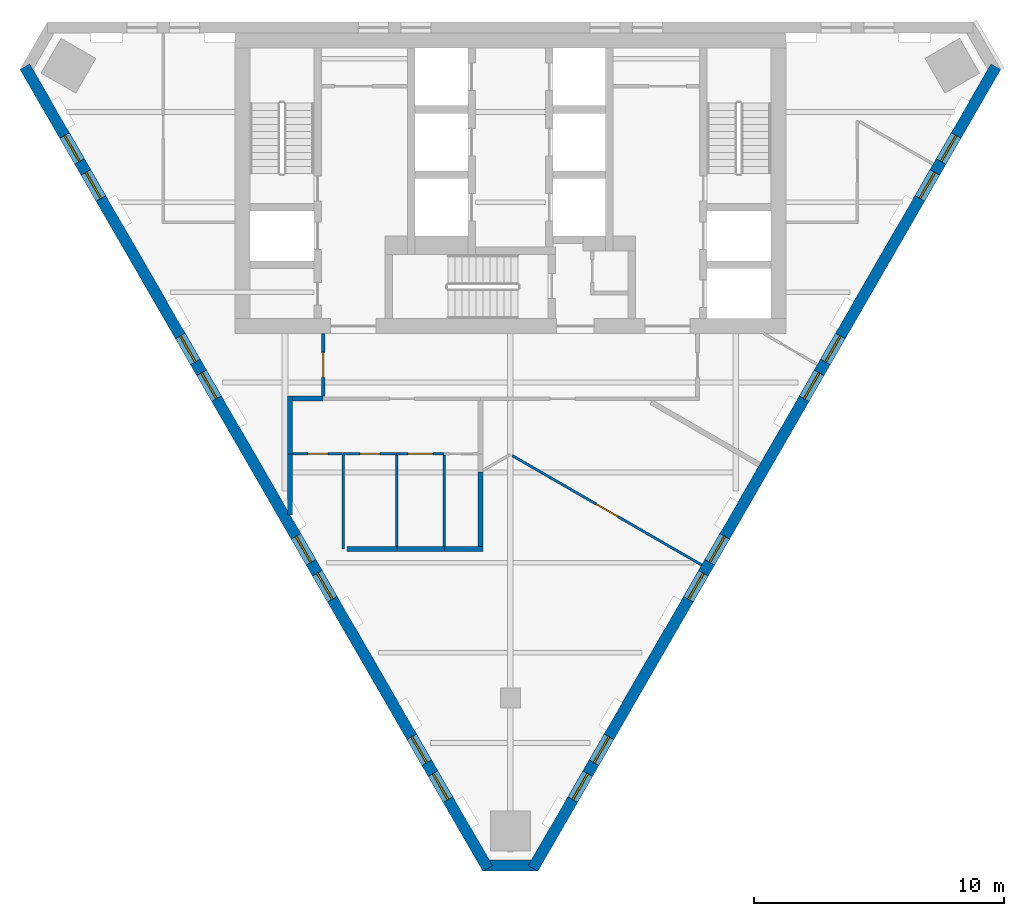
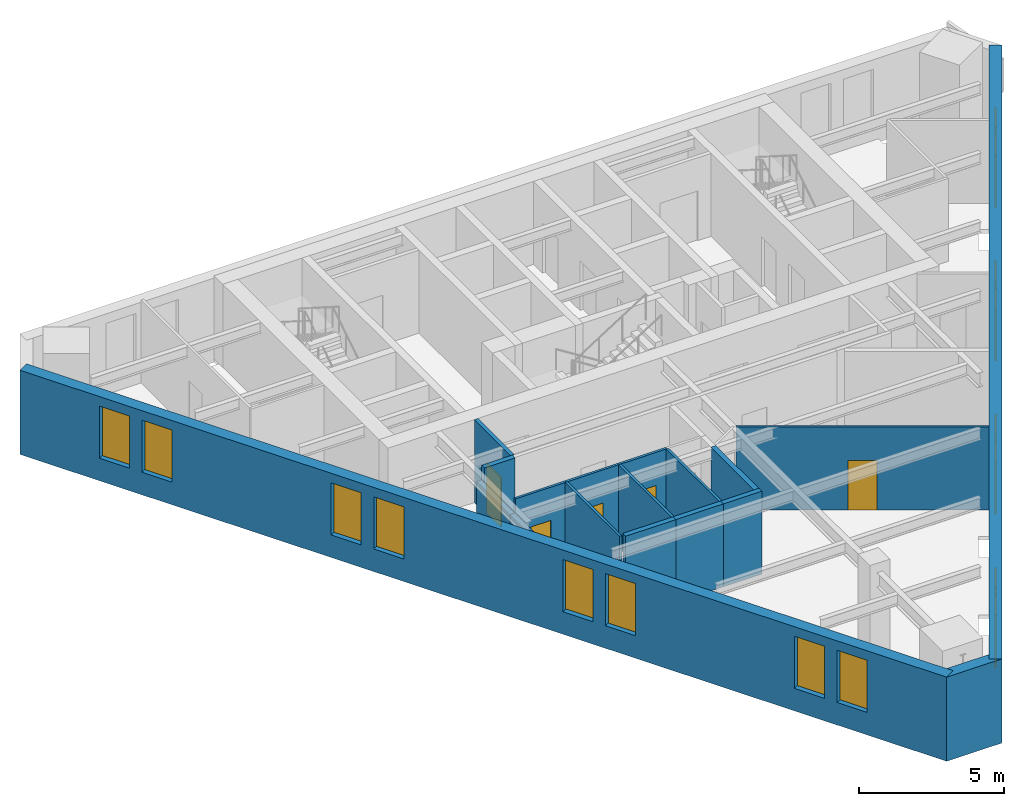
# One storey, part 2 of 6: 18 walls, 16 windows, 5 doors, 21 openings.
"""IFC4 building model written with IfcOpenShell, lengths in metres."""

import ifcopenshell
import ifcopenshell.guid

model = None  # the IFC model being written
_history = None  # IfcOwnerHistory: only IFC2X3 demands one
_inside = {}  # id of a spatial element -> (the spatial element, [elements in it])
_under = {}  # id of a project, library or spatial element -> (it, [spatial elements below it])
_declared = {}  # id of a project -> (the project, [libraries it declares])
_typed = {}  # id of a type object -> (the type object, [elements of that type])
_made_of = {}  # id of a material, layer set ... -> (it, [elements and type objects made of it])


def new_model(schema):
    """Start an empty IFC model of exactly this schema.

    Asked for "IFC4X3", IfcOpenShell would pick the latest addendum, in which some entities
    have other attributes; the version numbers below select the first issue.
    IFC2X3 requires an IfcOwnerHistory on every rooted entity: one is made here for all.
    """
    global model, _history
    if schema == "IFC4X3":
        model = ifcopenshell.file(schema_version=(4, 3, 0, 0))
    else:
        model = ifcopenshell.file(schema=schema)
    _inside.clear()
    _under.clear()
    _declared.clear()
    _typed.clear()
    _made_of.clear()
    _history = None
    if model.schema == "IFC2X3":
        org = make("IfcOrganization", Name="unknown")
        user = make(
            "IfcPersonAndOrganization",
            ThePerson=make("IfcPerson", FamilyName="unknown"),
            TheOrganization=org,
        )
        app = make(
            "IfcApplication",
            ApplicationDeveloper=org,
            Version="unknown",
            ApplicationFullName="unknown",
            ApplicationIdentifier="unknown",
        )
        _history = make(
            "IfcOwnerHistory",
            OwningUser=user,
            OwningApplication=app,
            ChangeAction="ADDED",
            CreationDate=0,
        )
    return model


def make(cls, **values):
    """One entity of the class cls with the attributes given. An attribute that is None is left unset."""
    return model.create_entity(
        cls, **{name: value for name, value in values.items() if value is not None}
    )


def rooted(cls, **values):
    """An entity with a GlobalId (a new one), such as an element, a storey or a relation."""
    return make(cls, GlobalId=ifcopenshell.guid.new(), OwnerHistory=_history, **values)


def si_unit(unit_type, name, prefix=None):
    """IfcSIUnit, for example si_unit("LENGTHUNIT", "METRE", prefix="MILLI")."""
    return make("IfcSIUnit", UnitType=unit_type, Prefix=prefix, Name=name)


def assignment(units):
    """IfcUnitAssignment: the units of a project."""
    return None if units is None else make("IfcUnitAssignment", Units=units)


def point(xyz):
    """IfcCartesianPoint."""
    return None if xyz is None else make("IfcCartesianPoint", Coordinates=xyz)


def direction(xyz):
    """IfcDirection."""
    return None if xyz is None else make("IfcDirection", DirectionRatios=xyz)


def frame(location, z_axis=None, x_axis=None):
    """IfcAxis2Placement3D, a coordinate frame: its origin and axes. An axis left out is left unset."""
    return make(
        "IfcAxis2Placement3D",
        Location=point(location),
        Axis=direction(z_axis),
        RefDirection=direction(x_axis),
    )


def frame_2d(location, x_axis=None):
    """IfcAxis2Placement2D, a coordinate frame in the plane: its origin and x axis."""
    return make(
        "IfcAxis2Placement2D", Location=point(location), RefDirection=direction(x_axis)
    )


def origin():
    """The frame at (0, 0, 0) with its axes left unset."""
    return frame((0.0, 0.0, 0.0))


def place(relative_to, where):
    """IfcLocalPlacement: puts the frame where relative to a parent placement (None: the world)."""
    return make(
        "IfcLocalPlacement", PlacementRelTo=relative_to, RelativePlacement=where
    )


def context(
    kind, dimensions, precision=None, world=None, true_north=None, identifier=None
):
    """IfcGeometricRepresentationContext, for example the 3D "Model" context."""
    return make(
        "IfcGeometricRepresentationContext",
        ContextIdentifier=identifier,
        ContextType=kind,
        CoordinateSpaceDimension=dimensions,
        Precision=precision,
        WorldCoordinateSystem=world,
        TrueNorth=true_north,
    )


def subcontext(parent, identifier, kind, view, scale=None):
    """IfcGeometricRepresentationSubContext, for example "Body" below "Model"."""
    return make(
        "IfcGeometricRepresentationSubContext",
        ContextIdentifier=identifier,
        ContextType=kind,
        ParentContext=parent,
        TargetScale=scale,
        TargetView=view,
    )


def project(units=None, contexts=None):
    """IfcProject with its units and contexts."""
    return rooted(
        "IfcProject",
        Name="project",
        RepresentationContexts=contexts,
        UnitsInContext=assignment(units),
    )


def spatial(cls, under=None, at=None, **own):
    """A site, building, storey or space (cls), placed at a placement, below another one or the project."""
    s = rooted(cls, ObjectPlacement=at, **own)
    if under is not None:
        _under.setdefault(under.id(), (under, []))[1].append(s)
    return s


def polyline(points):
    """IfcPolyline through the points."""
    return make("IfcPolyline", Points=[point(p) for p in points])


def profile(cls, at=None, kind="AREA", **sizes):
    """A parametric profile (cls). Its sizes go by their IFC names, for example OverallWidth=200.0."""
    return make(cls, ProfileType=kind, Position=at, **sizes)


def rectangle(**sizes):
    """IfcRectangleProfileDef."""
    return profile("IfcRectangleProfileDef", **sizes)


def outline(outer, holes=None, kind="AREA"):
    """IfcArbitraryClosedProfileDef: a profile drawn as a closed curve; with holes, ...WithVoids."""
    if holes is None:
        return make("IfcArbitraryClosedProfileDef", ProfileType=kind, OuterCurve=outer)
    return make(
        "IfcArbitraryProfileDefWithVoids",
        ProfileType=kind,
        OuterCurve=outer,
        InnerCurves=holes,
    )


def extrude(swept, where, along, depth):
    """IfcExtrudedAreaSolid: the profile swept, set in the frame where, extruded along a direction by depth."""
    return make(
        "IfcExtrudedAreaSolid",
        SweptArea=swept,
        Position=where,
        ExtrudedDirection=direction(along),
        Depth=depth,
    )


def shape(context_of_items, identifier, shape_type, items):
    """IfcShapeRepresentation: the items that make up one representation, for example the "Body"."""
    return make(
        "IfcShapeRepresentation",
        ContextOfItems=context_of_items,
        RepresentationIdentifier=identifier,
        RepresentationType=shape_type,
        Items=items,
    )


def material(Name=None, Category=None):
    """IfcMaterial."""
    return make("IfcMaterial", Name=Name, Category=Category)


def layer(
    of_material, thickness, ventilated=None, Name=None, Category=None, Priority=None
):
    """IfcMaterialLayer: one layer of a wall or slab, of a material (None: an air gap)."""
    return make(
        "IfcMaterialLayer",
        Material=of_material,
        LayerThickness=thickness,
        IsVentilated=ventilated,
        Name=Name,
        Category=Category,
        Priority=Priority,
    )


def layer_set(layers, Name=None):
    """IfcMaterialLayerSet."""
    return make("IfcMaterialLayerSet", MaterialLayers=layers, LayerSetName=Name)


def made_of(thing, what):
    """Note that an element or type object is made of a material, layer set ...; save() writes the relation."""
    if what is not None:
        _made_of.setdefault(what.id(), (what, []))[1].append(thing)
    return thing


def type_object(cls, material=None, **own):
    """A type object (cls), such as IfcWallType, which elements share."""
    return made_of(rooted(cls, **own), material)


def element(
    cls,
    number,
    at=None,
    inside=None,
    cuts=None,
    type_object=None,
    material=None,
    context=None,
    identifier="Body",
    shape_type=None,
    held_by="IfcProductDefinitionShape",
    body=None,
    shapes=None,
    **own,
):
    """One element of the class cls, such as IfcWall. Its Tag is "e" and its number.

    at: its placement. inside: the storey or other place that contains it. cuts: it is an
    opening in that element (IfcRelVoidsElement). A single representation is given by context,
    identifier, shape_type and body (its items); several are given by shapes. held_by: the class
    of the entity that holds the representations. save() writes the other relations.
    """
    e = rooted(cls, Tag="e%d" % number, ObjectPlacement=at, **own)
    if body is not None:
        shapes = [shape(context, identifier, shape_type, body)]
    if shapes is not None:
        e.Representation = make(held_by, Representations=shapes)
    if inside is not None:
        _inside.setdefault(inside.id(), (inside, []))[1].append(e)
    if cuts is not None:
        rooted(
            "IfcRelVoidsElement", RelatingBuildingElement=cuts, RelatedOpeningElement=e
        )
    if type_object is not None:
        _typed.setdefault(type_object.id(), (type_object, []))[1].append(e)
    return made_of(e, material)


def fill(opening, filler):
    """IfcRelFillsElement: the door or window that sits in an opening."""
    return rooted(
        "IfcRelFillsElement",
        RelatingOpeningElement=opening,
        RelatedBuildingElement=filler,
    )


def aggregate(whole, parts):
    """IfcRelAggregates: a whole, such as a stair, and the parts it consists of."""
    return rooted("IfcRelAggregates", RelatingObject=whole, RelatedObjects=parts)


def save(model, path):
    """Write the relations noted so far, then the file.

    IfcRelAggregates (storeys below a building ...), IfcRelContainedInSpatialStructure (elements
    in a storey), IfcRelDefinesByType, IfcRelAssociatesMaterial and IfcRelDeclares: one each for
    every whole, place, type object, material and project.
    """
    for whole, parts in _under.values():
        aggregate(whole, parts)
    for where, things in _inside.values():
        rooted(
            "IfcRelContainedInSpatialStructure",
            RelatedElements=things,
            RelatingStructure=where,
        )
    for kind, things in _typed.values():
        rooted("IfcRelDefinesByType", RelatedObjects=things, RelatingType=kind)
    for what, things in _made_of.values():
        rooted("IfcRelAssociatesMaterial", RelatedObjects=things, RelatingMaterial=what)
    for by, libraries in _declared.values():
        rooted("IfcRelDeclares", RelatingContext=by, RelatedDefinitions=libraries)
    model.write(path)


model = new_model("IFC4")

# Units and contexts
model_context = context("Model", 3, precision=1e-05, world=origin(), true_north=direction((0.0, 1.0)))
body_context = subcontext(model_context, "Body", "Model", "MODEL_VIEW")
ifc_project = project(units=[si_unit("LENGTHUNIT", "METRE"), si_unit("AREAUNIT", "SQUARE_METRE"), si_unit("VOLUMEUNIT", "CUBIC_METRE"), si_unit("PLANEANGLEUNIT", "RADIAN"), si_unit("MASSUNIT", "GRAM", prefix="KILO")], contexts=[model_context])

# Site, building, storey
site_placement = place(None, origin())
site = spatial("IfcSite", under=ifc_project, at=site_placement, CompositionType="ELEMENT")
building_placement = place(site_placement, origin())
building = spatial("IfcBuilding", under=site, at=building_placement, Name="Aloe Facet Convention Tower", CompositionType="ELEMENT")
storey_placement = place(building_placement, frame((0.0, 0.0, 281.60009765625)))
storey = spatial("IfcBuildingStorey", under=building, at=storey_placement, Name="L69", CompositionType="ELEMENT", Elevation=281.60009765625)

# Wall
ifc_material_1 = material(Name="Precast concrete C40/50", Category="concrete")
ifc_layer_1 = layer(ifc_material_1, 0.449951171875)
ifc_layer_set_1 = layer_set([ifc_layer_1], Name="EV-WALL-PIER")
wall_type_1 = type_object("IfcWallType", Name="EV-WALL-PIER", PredefinedType="SOLIDWALL", material=ifc_layer_set_1)
wall_1_placement = place(storey_placement, frame((0.0, 0.0, -0.150146484375)))
element("IfcWall", 1, at=wall_1_placement, inside=storey, type_object=wall_type_1, Name="EP-L69-B", PredefinedType="SOLIDWALL", context=body_context, shape_type="SweptSolid", body=[
    extrude(outline(polyline([(78.89990234375, 101.07568359375), (79.289794921875, 101.30078125), (79.159912109375, 101.52587890625), (80.840087890625, 101.52587890625), (80.710205078125, 101.30078125), (81.10009765625, 101.07568359375), (78.89990234375, 101.07568359375)])), origin(), (0.0, 0.0, 1.0), 3.550048828125),
])

# Wall, openings, windows
ifc_material_2 = material(Name="Precast concrete C40/50", Category="concrete")
ifc_layer_2 = layer(ifc_material_2, 0.449951171875)
ifc_layer_set_2 = layer_set([ifc_layer_2], Name="EV-WALL-STONE")
wall_type_2 = type_object("IfcWallType", Name="EV-WALL-STONE", PredefinedType="SOLIDWALL", material=ifc_layer_set_2)
wall_2_placement = place(storey_placement, frame((60.608642578125, 133.207275390625, -0.150146484375), z_axis=(0.0, 0.0, 1.0), x_axis=(0.500002536638, -0.866023939251, 0.0)))
wall_2 = element("IfcWall", 2, at=wall_2_placement, inside=storey, type_object=wall_type_2, Name="EW-L69-W01", PredefinedType="SOLIDWALL", context=body_context, shape_type="SweptSolid", body=[
    extrude(outline(polyline([(36.972412109375, 0.0), (36.972412109375, 3.550048828125), (0.0, 3.550048828125), (0.0, 0.0), (36.972412109375, 0.0)])), frame((0.0, 0.22509765625, 0.0), z_axis=(0.0, -1.0, 0.0), x_axis=(1.0, 0.0, 0.0)), (0.0, 0.0, 1.0), 0.449951171875),
])
opening_1_placement = place(wall_2_placement, frame((3.171630859375, 0.0, 0.949951171875)))
opening_1 = element("IfcOpeningElement", 3, at=opening_1_placement, cuts=wall_2, Name="Opening W-L69-W01", PredefinedType="OPENING", context=body_context, shape_type="SweptSolid", body=[
    extrude(rectangle(XDim=1.199951171875, YDim=2.199951171875, at=frame_2d((0.60009765625, 1.10009765625))), frame((0.0, 0.23486328125, 0.0), z_axis=(0.0, -1.0, 0.0), x_axis=(1.0, 0.0, 0.0)), (0.0, 0.0, 1.0), 0.469970703125),
])
opening_2_placement = place(wall_2_placement, frame((4.87158203125, 0.0, 0.949951171875)))
opening_2 = element("IfcOpeningElement", 4, at=opening_2_placement, cuts=wall_2, Name="Opening W-L69-W02", PredefinedType="OPENING", context=body_context, shape_type="SweptSolid", body=[
    extrude(rectangle(XDim=1.199951171875, YDim=2.199951171875, at=frame_2d((0.60009765625, 1.10009765625))), frame((0.0, 0.23486328125, 0.0), z_axis=(0.0, -1.0, 0.0), x_axis=(1.0, 0.0, 0.0)), (0.0, 0.0, 1.0), 0.469970703125),
])
opening_3_placement = place(wall_2_placement, frame((12.41455078125, 0.0, 0.949951171875)))
opening_3 = element("IfcOpeningElement", 5, at=opening_3_placement, cuts=wall_2, Name="Opening W-L69-W03", PredefinedType="OPENING", context=body_context, shape_type="SweptSolid", body=[
    extrude(rectangle(XDim=1.199951171875, YDim=2.199951171875, at=frame_2d((0.60009765625, 1.10009765625))), frame((0.0, 0.23486328125, 0.0), z_axis=(0.0, -1.0, 0.0), x_axis=(1.0, 0.0, 0.0)), (0.0, 0.0, 1.0), 0.469970703125),
])
opening_4_placement = place(wall_2_placement, frame((14.114501953125, 0.0, 0.949951171875)))
opening_4 = element("IfcOpeningElement", 6, at=opening_4_placement, cuts=wall_2, Name="Opening W-L69-W04", PredefinedType="OPENING", context=body_context, shape_type="SweptSolid", body=[
    extrude(rectangle(XDim=1.199951171875, YDim=2.199951171875, at=frame_2d((0.60009765625, 1.10009765625))), frame((0.0, 0.23486328125, 0.0), z_axis=(0.0, -1.0, 0.0), x_axis=(1.0, 0.0, 0.0)), (0.0, 0.0, 1.0), 0.469970703125),
])
opening_5_placement = place(wall_2_placement, frame((21.65771484375, 0.0, 0.949951171875)))
opening_5 = element("IfcOpeningElement", 7, at=opening_5_placement, cuts=wall_2, Name="Opening W-L69-W05", PredefinedType="OPENING", context=body_context, shape_type="SweptSolid", body=[
    extrude(rectangle(XDim=1.199951171875, YDim=2.199951171875, at=frame_2d((0.60009765625, 1.10009765625))), frame((0.0, 0.23486328125, 0.0), z_axis=(0.0, -1.0, 0.0), x_axis=(1.0, 0.0, 0.0)), (0.0, 0.0, 1.0), 0.469970703125),
])
opening_6_placement = place(wall_2_placement, frame((23.357666015625, 0.0, 0.949951171875)))
opening_6 = element("IfcOpeningElement", 8, at=opening_6_placement, cuts=wall_2, Name="Opening W-L69-W06", PredefinedType="OPENING", context=body_context, shape_type="SweptSolid", body=[
    extrude(rectangle(XDim=1.199951171875, YDim=2.199951171875, at=frame_2d((0.60009765625, 1.10009765625))), frame((0.0, 0.23486328125, 0.0), z_axis=(0.0, -1.0, 0.0), x_axis=(1.0, 0.0, 0.0)), (0.0, 0.0, 1.0), 0.469970703125),
])
opening_7_placement = place(wall_2_placement, frame((30.90087890625, 0.0, 0.949951171875)))
opening_7 = element("IfcOpeningElement", 9, at=opening_7_placement, cuts=wall_2, Name="Opening W-L69-W07", PredefinedType="OPENING", context=body_context, shape_type="SweptSolid", body=[
    extrude(rectangle(XDim=1.199951171875, YDim=2.199951171875, at=frame_2d((0.60009765625, 1.10009765625))), frame((0.0, 0.23486328125, 0.0), z_axis=(0.0, -1.0, 0.0), x_axis=(1.0, 0.0, 0.0)), (0.0, 0.0, 1.0), 0.469970703125),
])
opening_8_placement = place(wall_2_placement, frame((32.600830078125, 0.0, 0.949951171875)))
opening_8 = element("IfcOpeningElement", 10, at=opening_8_placement, cuts=wall_2, Name="Opening W-L69-W08", PredefinedType="OPENING", context=body_context, shape_type="SweptSolid", body=[
    extrude(rectangle(XDim=1.199951171875, YDim=2.199951171875, at=frame_2d((0.60009765625, 1.10009765625))), frame((0.0, 0.23486328125, 0.0), z_axis=(0.0, -1.0, 0.0), x_axis=(1.0, 0.0, 0.0)), (0.0, 0.0, 1.0), 0.469970703125),
])
ifc_material_3 = material(Name="Aluminium frame, clear double glazing", Category="aluminium")
window_type = type_object("IfcWindowType", Name="EV-WIN-O12", PartitioningType="SINGLE_PANEL", PredefinedType="WINDOW", material=ifc_material_3)
window_1_placement = place(opening_1_placement, origin())
window_1 = element("IfcWindow", 11, at=window_1_placement, inside=storey, type_object=window_type, Name="W-L69-W01", OverallHeight=2.199951171875, OverallWidth=1.199951171875, PartitioningType="SINGLE_PANEL", PredefinedType="WINDOW", context=body_context, shape_type="SweptSolid", body=[
    extrude(rectangle(XDim=1.199951171875, YDim=2.199951171875, at=frame_2d((0.60009765625, 1.10009765625))), frame((0.0, 0.030029296875, 0.0), z_axis=(0.0, -1.0, 0.0), x_axis=(1.0, 0.0, 0.0)), (0.0, 0.0, 1.0), 0.06005859375),
])
fill(opening_1, window_1)
window_2_placement = place(opening_2_placement, origin())
window_2 = element("IfcWindow", 12, at=window_2_placement, inside=storey, type_object=window_type, Name="W-L69-W02", OverallHeight=2.199951171875, OverallWidth=1.199951171875, PartitioningType="SINGLE_PANEL", PredefinedType="WINDOW", context=body_context, shape_type="SweptSolid", body=[
    extrude(rectangle(XDim=1.199951171875, YDim=2.199951171875, at=frame_2d((0.60009765625, 1.10009765625))), frame((0.0, 0.030029296875, 0.0), z_axis=(0.0, -1.0, 0.0), x_axis=(1.0, 0.0, 0.0)), (0.0, 0.0, 1.0), 0.06005859375),
])
fill(opening_2, window_2)
window_3_placement = place(opening_3_placement, origin())
window_3 = element("IfcWindow", 13, at=window_3_placement, inside=storey, type_object=window_type, Name="W-L69-W03", OverallHeight=2.199951171875, OverallWidth=1.199951171875, PartitioningType="SINGLE_PANEL", PredefinedType="WINDOW", context=body_context, shape_type="SweptSolid", body=[
    extrude(rectangle(XDim=1.199951171875, YDim=2.199951171875, at=frame_2d((0.60009765625, 1.10009765625))), frame((0.0, 0.030029296875, 0.0), z_axis=(0.0, -1.0, 0.0), x_axis=(1.0, 0.0, 0.0)), (0.0, 0.0, 1.0), 0.06005859375),
])
fill(opening_3, window_3)
window_4_placement = place(opening_4_placement, origin())
window_4 = element("IfcWindow", 14, at=window_4_placement, inside=storey, type_object=window_type, Name="W-L69-W04", OverallHeight=2.199951171875, OverallWidth=1.199951171875, PartitioningType="SINGLE_PANEL", PredefinedType="WINDOW", context=body_context, shape_type="SweptSolid", body=[
    extrude(rectangle(XDim=1.199951171875, YDim=2.199951171875, at=frame_2d((0.60009765625, 1.10009765625))), frame((0.0, 0.030029296875, 0.0), z_axis=(0.0, -1.0, 0.0), x_axis=(1.0, 0.0, 0.0)), (0.0, 0.0, 1.0), 0.06005859375),
])
fill(opening_4, window_4)
window_5_placement = place(opening_5_placement, origin())
window_5 = element("IfcWindow", 15, at=window_5_placement, inside=storey, type_object=window_type, Name="W-L69-W05", OverallHeight=2.199951171875, OverallWidth=1.199951171875, PartitioningType="SINGLE_PANEL", PredefinedType="WINDOW", context=body_context, shape_type="SweptSolid", body=[
    extrude(rectangle(XDim=1.199951171875, YDim=2.199951171875, at=frame_2d((0.60009765625, 1.10009765625))), frame((0.0, 0.030029296875, 0.0), z_axis=(0.0, -1.0, 0.0), x_axis=(1.0, 0.0, 0.0)), (0.0, 0.0, 1.0), 0.06005859375),
])
fill(opening_5, window_5)
window_6_placement = place(opening_6_placement, origin())
window_6 = element("IfcWindow", 16, at=window_6_placement, inside=storey, type_object=window_type, Name="W-L69-W06", OverallHeight=2.199951171875, OverallWidth=1.199951171875, PartitioningType="SINGLE_PANEL", PredefinedType="WINDOW", context=body_context, shape_type="SweptSolid", body=[
    extrude(rectangle(XDim=1.199951171875, YDim=2.199951171875, at=frame_2d((0.60009765625, 1.10009765625))), frame((0.0, 0.030029296875, 0.0), z_axis=(0.0, -1.0, 0.0), x_axis=(1.0, 0.0, 0.0)), (0.0, 0.0, 1.0), 0.06005859375),
])
fill(opening_6, window_6)
window_7_placement = place(opening_7_placement, origin())
window_7 = element("IfcWindow", 17, at=window_7_placement, inside=storey, type_object=window_type, Name="W-L69-W07", OverallHeight=2.199951171875, OverallWidth=1.199951171875, PartitioningType="SINGLE_PANEL", PredefinedType="WINDOW", context=body_context, shape_type="SweptSolid", body=[
    extrude(rectangle(XDim=1.199951171875, YDim=2.199951171875, at=frame_2d((0.60009765625, 1.10009765625))), frame((0.0, 0.030029296875, 0.0), z_axis=(0.0, -1.0, 0.0), x_axis=(1.0, 0.0, 0.0)), (0.0, 0.0, 1.0), 0.06005859375),
])
fill(opening_7, window_7)
window_8_placement = place(opening_8_placement, origin())
window_8 = element("IfcWindow", 18, at=window_8_placement, inside=storey, type_object=window_type, Name="W-L69-W08", OverallHeight=2.199951171875, OverallWidth=1.199951171875, PartitioningType="SINGLE_PANEL", PredefinedType="WINDOW", context=body_context, shape_type="SweptSolid", body=[
    extrude(rectangle(XDim=1.199951171875, YDim=2.199951171875, at=frame_2d((0.60009765625, 1.10009765625))), frame((0.0, 0.030029296875, 0.0), z_axis=(0.0, -1.0, 0.0), x_axis=(1.0, 0.0, 0.0)), (0.0, 0.0, 1.0), 0.06005859375),
])
fill(opening_8, window_8)

wall_3_placement = place(storey_placement, frame((80.905029296875, 101.188232421875, -0.150146484375), z_axis=(0.0, 0.0, 1.0), x_axis=(0.500002536638, 0.866023939251, 0.0)))
wall_3 = element("IfcWall", 19, at=wall_3_placement, inside=storey, type_object=wall_type_2, Name="EW-L69-E01", PredefinedType="SOLIDWALL", context=body_context, shape_type="SweptSolid", body=[
    extrude(outline(polyline([(36.972412109375, 0.0), (36.972412109375, 3.550048828125), (0.0, 3.550048828125), (0.0, 0.0), (36.972412109375, 0.0)])), frame((0.0, 0.22509765625, 0.0), z_axis=(0.0, -1.0, 0.0), x_axis=(1.0, 0.0, 0.0)), (0.0, 0.0, 1.0), 0.449951171875),
])
opening_9_placement = place(wall_3_placement, frame((3.171630859375, 0.0, 0.949951171875)))
opening_9 = element("IfcOpeningElement", 20, at=opening_9_placement, cuts=wall_3, Name="Opening W-L69-E01", PredefinedType="OPENING", context=body_context, shape_type="SweptSolid", body=[
    extrude(rectangle(XDim=1.199951171875, YDim=2.199951171875, at=frame_2d((0.60009765625, 1.10009765625))), frame((0.0, 0.23486328125, 0.0), z_axis=(0.0, -1.0, 0.0), x_axis=(1.0, 0.0, 0.0)), (0.0, 0.0, 1.0), 0.469970703125),
])
opening_10_placement = place(wall_3_placement, frame((4.87158203125, 0.0, 0.949951171875)))
opening_10 = element("IfcOpeningElement", 21, at=opening_10_placement, cuts=wall_3, Name="Opening W-L69-E02", PredefinedType="OPENING", context=body_context, shape_type="SweptSolid", body=[
    extrude(rectangle(XDim=1.199951171875, YDim=2.199951171875, at=frame_2d((0.60009765625, 1.10009765625))), frame((0.0, 0.23486328125, 0.0), z_axis=(0.0, -1.0, 0.0), x_axis=(1.0, 0.0, 0.0)), (0.0, 0.0, 1.0), 0.469970703125),
])
opening_11_placement = place(wall_3_placement, frame((12.41455078125, 0.0, 0.949951171875)))
opening_11 = element("IfcOpeningElement", 22, at=opening_11_placement, cuts=wall_3, Name="Opening W-L69-E03", PredefinedType="OPENING", context=body_context, shape_type="SweptSolid", body=[
    extrude(rectangle(XDim=1.199951171875, YDim=2.199951171875, at=frame_2d((0.60009765625, 1.10009765625))), frame((0.0, 0.23486328125, 0.0), z_axis=(0.0, -1.0, 0.0), x_axis=(1.0, 0.0, 0.0)), (0.0, 0.0, 1.0), 0.469970703125),
])
opening_12_placement = place(wall_3_placement, frame((14.114501953125, 0.0, 0.949951171875)))
opening_12 = element("IfcOpeningElement", 23, at=opening_12_placement, cuts=wall_3, Name="Opening W-L69-E04", PredefinedType="OPENING", context=body_context, shape_type="SweptSolid", body=[
    extrude(rectangle(XDim=1.199951171875, YDim=2.199951171875, at=frame_2d((0.60009765625, 1.10009765625))), frame((0.0, 0.23486328125, 0.0), z_axis=(0.0, -1.0, 0.0), x_axis=(1.0, 0.0, 0.0)), (0.0, 0.0, 1.0), 0.469970703125),
])
opening_13_placement = place(wall_3_placement, frame((21.65771484375, 0.0, 0.949951171875)))
opening_13 = element("IfcOpeningElement", 24, at=opening_13_placement, cuts=wall_3, Name="Opening W-L69-E05", PredefinedType="OPENING", context=body_context, shape_type="SweptSolid", body=[
    extrude(rectangle(XDim=1.199951171875, YDim=2.199951171875, at=frame_2d((0.60009765625, 1.10009765625))), frame((0.0, 0.23486328125, 0.0), z_axis=(0.0, -1.0, 0.0), x_axis=(1.0, 0.0, 0.0)), (0.0, 0.0, 1.0), 0.469970703125),
])
opening_14_placement = place(wall_3_placement, frame((23.357666015625, 0.0, 0.949951171875)))
opening_14 = element("IfcOpeningElement", 25, at=opening_14_placement, cuts=wall_3, Name="Opening W-L69-E06", PredefinedType="OPENING", context=body_context, shape_type="SweptSolid", body=[
    extrude(rectangle(XDim=1.199951171875, YDim=2.199951171875, at=frame_2d((0.60009765625, 1.10009765625))), frame((0.0, 0.23486328125, 0.0), z_axis=(0.0, -1.0, 0.0), x_axis=(1.0, 0.0, 0.0)), (0.0, 0.0, 1.0), 0.469970703125),
])
opening_15_placement = place(wall_3_placement, frame((30.90087890625, 0.0, 0.949951171875)))
opening_15 = element("IfcOpeningElement", 26, at=opening_15_placement, cuts=wall_3, Name="Opening W-L69-E07", PredefinedType="OPENING", context=body_context, shape_type="SweptSolid", body=[
    extrude(rectangle(XDim=1.199951171875, YDim=2.199951171875, at=frame_2d((0.60009765625, 1.10009765625))), frame((0.0, 0.23486328125, 0.0), z_axis=(0.0, -1.0, 0.0), x_axis=(1.0, 0.0, 0.0)), (0.0, 0.0, 1.0), 0.469970703125),
])
opening_16_placement = place(wall_3_placement, frame((32.600830078125, 0.0, 0.949951171875)))
opening_16 = element("IfcOpeningElement", 27, at=opening_16_placement, cuts=wall_3, Name="Opening W-L69-E08", PredefinedType="OPENING", context=body_context, shape_type="SweptSolid", body=[
    extrude(rectangle(XDim=1.199951171875, YDim=2.199951171875, at=frame_2d((0.60009765625, 1.10009765625))), frame((0.0, 0.23486328125, 0.0), z_axis=(0.0, -1.0, 0.0), x_axis=(1.0, 0.0, 0.0)), (0.0, 0.0, 1.0), 0.469970703125),
])
window_9_placement = place(opening_9_placement, origin())
window_9 = element("IfcWindow", 28, at=window_9_placement, inside=storey, type_object=window_type, Name="W-L69-E01", OverallHeight=2.199951171875, OverallWidth=1.199951171875, PartitioningType="SINGLE_PANEL", PredefinedType="WINDOW", context=body_context, shape_type="SweptSolid", body=[
    extrude(rectangle(XDim=1.199951171875, YDim=2.199951171875, at=frame_2d((0.60009765625, 1.10009765625))), frame((0.0, 0.030029296875, 0.0), z_axis=(0.0, -1.0, 0.0), x_axis=(1.0, 0.0, 0.0)), (0.0, 0.0, 1.0), 0.06005859375),
])
fill(opening_9, window_9)
window_10_placement = place(opening_10_placement, origin())
window_10 = element("IfcWindow", 29, at=window_10_placement, inside=storey, type_object=window_type, Name="W-L69-E02", OverallHeight=2.199951171875, OverallWidth=1.199951171875, PartitioningType="SINGLE_PANEL", PredefinedType="WINDOW", context=body_context, shape_type="SweptSolid", body=[
    extrude(rectangle(XDim=1.199951171875, YDim=2.199951171875, at=frame_2d((0.60009765625, 1.10009765625))), frame((0.0, 0.030029296875, 0.0), z_axis=(0.0, -1.0, 0.0), x_axis=(1.0, 0.0, 0.0)), (0.0, 0.0, 1.0), 0.06005859375),
])
fill(opening_10, window_10)
window_11_placement = place(opening_11_placement, origin())
window_11 = element("IfcWindow", 30, at=window_11_placement, inside=storey, type_object=window_type, Name="W-L69-E03", OverallHeight=2.199951171875, OverallWidth=1.199951171875, PartitioningType="SINGLE_PANEL", PredefinedType="WINDOW", context=body_context, shape_type="SweptSolid", body=[
    extrude(rectangle(XDim=1.199951171875, YDim=2.199951171875, at=frame_2d((0.60009765625, 1.10009765625))), frame((0.0, 0.030029296875, 0.0), z_axis=(0.0, -1.0, 0.0), x_axis=(1.0, 0.0, 0.0)), (0.0, 0.0, 1.0), 0.06005859375),
])
fill(opening_11, window_11)
window_12_placement = place(opening_12_placement, origin())
window_12 = element("IfcWindow", 31, at=window_12_placement, inside=storey, type_object=window_type, Name="W-L69-E04", OverallHeight=2.199951171875, OverallWidth=1.199951171875, PartitioningType="SINGLE_PANEL", PredefinedType="WINDOW", context=body_context, shape_type="SweptSolid", body=[
    extrude(rectangle(XDim=1.199951171875, YDim=2.199951171875, at=frame_2d((0.60009765625, 1.10009765625))), frame((0.0, 0.030029296875, 0.0), z_axis=(0.0, -1.0, 0.0), x_axis=(1.0, 0.0, 0.0)), (0.0, 0.0, 1.0), 0.06005859375),
])
fill(opening_12, window_12)
window_13_placement = place(opening_13_placement, origin())
window_13 = element("IfcWindow", 32, at=window_13_placement, inside=storey, type_object=window_type, Name="W-L69-E05", OverallHeight=2.199951171875, OverallWidth=1.199951171875, PartitioningType="SINGLE_PANEL", PredefinedType="WINDOW", context=body_context, shape_type="SweptSolid", body=[
    extrude(rectangle(XDim=1.199951171875, YDim=2.199951171875, at=frame_2d((0.60009765625, 1.10009765625))), frame((0.0, 0.030029296875, 0.0), z_axis=(0.0, -1.0, 0.0), x_axis=(1.0, 0.0, 0.0)), (0.0, 0.0, 1.0), 0.06005859375),
])
fill(opening_13, window_13)
window_14_placement = place(opening_14_placement, origin())
window_14 = element("IfcWindow", 33, at=window_14_placement, inside=storey, type_object=window_type, Name="W-L69-E06", OverallHeight=2.199951171875, OverallWidth=1.199951171875, PartitioningType="SINGLE_PANEL", PredefinedType="WINDOW", context=body_context, shape_type="SweptSolid", body=[
    extrude(rectangle(XDim=1.199951171875, YDim=2.199951171875, at=frame_2d((0.60009765625, 1.10009765625))), frame((0.0, 0.030029296875, 0.0), z_axis=(0.0, -1.0, 0.0), x_axis=(1.0, 0.0, 0.0)), (0.0, 0.0, 1.0), 0.06005859375),
])
fill(opening_14, window_14)
window_15_placement = place(opening_15_placement, origin())
window_15 = element("IfcWindow", 34, at=window_15_placement, inside=storey, type_object=window_type, Name="W-L69-E07", OverallHeight=2.199951171875, OverallWidth=1.199951171875, PartitioningType="SINGLE_PANEL", PredefinedType="WINDOW", context=body_context, shape_type="SweptSolid", body=[
    extrude(rectangle(XDim=1.199951171875, YDim=2.199951171875, at=frame_2d((0.60009765625, 1.10009765625))), frame((0.0, 0.030029296875, 0.0), z_axis=(0.0, -1.0, 0.0), x_axis=(1.0, 0.0, 0.0)), (0.0, 0.0, 1.0), 0.06005859375),
])
fill(opening_15, window_15)
window_16_placement = place(opening_16_placement, origin())
window_16 = element("IfcWindow", 35, at=window_16_placement, inside=storey, type_object=window_type, Name="W-L69-E08", OverallHeight=2.199951171875, OverallWidth=1.199951171875, PartitioningType="SINGLE_PANEL", PredefinedType="WINDOW", context=body_context, shape_type="SweptSolid", body=[
    extrude(rectangle(XDim=1.199951171875, YDim=2.199951171875, at=frame_2d((0.60009765625, 1.10009765625))), frame((0.0, 0.030029296875, 0.0), z_axis=(0.0, -1.0, 0.0), x_axis=(1.0, 0.0, 0.0)), (0.0, 0.0, 1.0), 0.06005859375),
])
fill(opening_16, window_16)

# Wall, opening, door
ifc_material_4 = material(Name="Gypsum board partition on steel studs", Category="steel")
ifc_layer_3 = layer(ifc_material_4, 0.14990234375)
ifc_layer_set_3 = layer_set([ifc_layer_3], Name="IN-W-CORR")
wall_type_3 = type_object("IfcWallType", Name="IN-W-CORR", PredefinedType="PARTITIONING", material=ifc_layer_set_3)
wall_4_placement = place(storey_placement, frame((72.52490234375, 120.050048828125, 0.0), z_axis=(0.0, 0.0, 1.0), x_axis=(0.0, 1.0, 0.0)))
wall_4 = element("IfcWall", 36, at=wall_4_placement, inside=storey, type_object=wall_type_3, Name="Partition L69-W020", PredefinedType="PARTITIONING", context=body_context, shape_type="SweptSolid", body=[
    extrude(rectangle(XDim=2.5, YDim=0.14990234375, at=frame_2d((1.25, 0.0))), origin(), (0.0, 0.0, 1.0), 3.5),
])
opening_17_placement = place(wall_4_placement, frame((0.75, 0.0, 0.0)))
opening_17 = element("IfcOpeningElement", 37, at=opening_17_placement, cuts=wall_4, Name="Opening L69-008", PredefinedType="OPENING", context=body_context, shape_type="SweptSolid", body=[
    extrude(rectangle(XDim=1.0, YDim=2.10009765625, at=frame_2d((0.5, 1.050048828125))), frame((0.0, 0.0849609375, 0.0), z_axis=(0.0, -1.0, 0.0), x_axis=(1.0, 0.0, 0.0)), (0.0, 0.0, 1.0), 0.169921875),
])
ifc_material_5 = material(Name="Timber door FD30S with vision panel", Category="wood")
door_type_1 = type_object("IfcDoorType", Name="IN-OFF-D-ENTRY", OperationType="SINGLE_SWING_LEFT", PredefinedType="DOOR", material=ifc_material_5)
door_1_placement = place(opening_17_placement, origin())
door_1 = element("IfcDoor", 38, at=door_1_placement, inside=storey, type_object=door_type_1, Name="Door L69-008", OperationType="SINGLE_SWING_LEFT", OverallHeight=2.10009765625, OverallWidth=1.0, PredefinedType="DOOR", context=body_context, shape_type="SweptSolid", body=[
    extrude(rectangle(XDim=1.0, YDim=2.10009765625, at=frame_2d((0.5, 1.050048828125))), frame((0.0, 0.02490234375, 0.0), z_axis=(0.0, -1.0, 0.0), x_axis=(1.0, 0.0, 0.0)), (0.0, 0.0, 1.0), 0.050048828125),
])
fill(opening_17, door_1)

ifc_material_6 = material(Name="Gypsum board partition on steel studs", Category="steel")
ifc_layer_4 = layer(ifc_material_6, 0.10009765625)
ifc_layer_set_4 = layer_set([ifc_layer_4], Name="IN-W-PART")
wall_type_4 = type_object("IfcWallType", Name="IN-W-PART", PredefinedType="PARTITIONING", material=ifc_layer_set_4)
wall_5_placement = place(storey_placement, frame((80.074951171875, 117.677001953125, 0.0), z_axis=(0.0, 0.0, 1.0), x_axis=(0.866026931682, -0.499997353595, 0.0)))
wall_5 = element("IfcWall", 39, at=wall_5_placement, inside=storey, type_object=wall_type_4, Name="Partition L69-W008", PredefinedType="PARTITIONING", context=body_context, shape_type="SweptSolid", body=[
    extrude(rectangle(XDim=8.73828125, YDim=0.10009765625, at=frame_2d((4.369140625, 0.0))), origin(), (0.0, 0.0, 1.0), 3.5),
])
opening_18_placement = place(wall_5_placement, frame((3.869140625, 0.0, 0.0)))
opening_18 = element("IfcOpeningElement", 40, at=opening_18_placement, cuts=wall_5, Name="Opening L69-012", PredefinedType="OPENING", context=body_context, shape_type="SweptSolid", body=[
    extrude(rectangle(XDim=1.0, YDim=2.10009765625, at=frame_2d((0.5, 1.050048828125))), frame((0.0, 0.06005859375, 0.0), z_axis=(0.0, -1.0, 0.0), x_axis=(1.0, 0.0, 0.0)), (0.0, 0.0, 1.0), 0.1201171875),
])
ifc_material_7 = material(Name="Timber door", Category="wood")
door_type_2 = type_object("IfcDoorType", Name="IN-OFF-D-WIDE", OperationType="SINGLE_SWING_LEFT", PredefinedType="DOOR", material=ifc_material_7)
door_2_placement = place(opening_18_placement, origin())
door_2 = element("IfcDoor", 41, at=door_2_placement, inside=storey, type_object=door_type_2, Name="Door L69-012", OperationType="SINGLE_SWING_LEFT", OverallHeight=2.10009765625, OverallWidth=1.0, PredefinedType="DOOR", context=body_context, shape_type="SweptSolid", body=[
    extrude(rectangle(XDim=1.0, YDim=2.10009765625, at=frame_2d((0.5, 1.050048828125))), frame((0.0, 0.02490234375, 0.0), z_axis=(0.0, -1.0, 0.0), x_axis=(1.0, 0.0, 0.0)), (0.0, 0.0, 1.0), 0.050048828125),
])
fill(opening_18, door_2)

# Wall
wall_6_placement = place(storey_placement, frame((73.327880859375, 113.949951171875, 0.0), z_axis=(0.0, 0.0, 1.0), x_axis=(0.0, 1.0, 0.0)))
element("IfcWall", 42, at=wall_6_placement, inside=storey, type_object=wall_type_4, Name="Partition L69-W010", PredefinedType="PARTITIONING", context=body_context, shape_type="SweptSolid", body=[
    extrude(rectangle(XDim=3.75, YDim=0.10009765625, at=frame_2d((1.875, 0.0))), origin(), (0.0, 0.0, 1.0), 3.5),
])

# Wall, opening, door
wall_7_placement = place(storey_placement, frame((71.300048828125, 117.75, 0.0), z_axis=(0.0, 0.0, 1.0), x_axis=(1.0, 0.0, 0.0)))
wall_7 = element("IfcWall", 43, at=wall_7_placement, inside=storey, type_object=wall_type_4, Name="Partition L69-W011", PredefinedType="PARTITIONING", context=body_context, shape_type="SweptSolid", body=[
    extrude(rectangle(XDim=2.02783203125, YDim=0.10009765625, at=frame_2d((1.013916015625, 0.0))), origin(), (0.0, 0.0, 1.0), 3.5),
])
opening_19_placement = place(wall_7_placement, frame((0.614013671875, 0.0, 0.0)))
opening_19 = element("IfcOpeningElement", 44, at=opening_19_placement, cuts=wall_7, Name="Opening L69-002", PredefinedType="OPENING", context=body_context, shape_type="SweptSolid", body=[
    extrude(rectangle(XDim=0.800048828125, YDim=2.10009765625, at=frame_2d((0.39990234375, 1.050048828125))), frame((0.0, 0.06005859375, 0.0), z_axis=(0.0, -1.0, 0.0), x_axis=(1.0, 0.0, 0.0)), (0.0, 0.0, 1.0), 0.1201171875),
])
ifc_material_8 = material(Name="Timber door", Category="wood")
door_type_3 = type_object("IfcDoorType", Name="IN-OFF-D-WC", OperationType="SINGLE_SWING_LEFT", PredefinedType="DOOR", material=ifc_material_8)
door_3_placement = place(opening_19_placement, origin())
door_3 = element("IfcDoor", 45, at=door_3_placement, inside=storey, type_object=door_type_3, Name="Door L69-002", OperationType="SINGLE_SWING_LEFT", OverallHeight=2.10009765625, OverallWidth=0.800048828125, PredefinedType="DOOR", context=body_context, shape_type="SweptSolid", body=[
    extrude(rectangle(XDim=0.800048828125, YDim=2.10009765625, at=frame_2d((0.39990234375, 1.050048828125))), frame((0.0, 0.02490234375, 0.0), z_axis=(0.0, -1.0, 0.0), x_axis=(1.0, 0.0, 0.0)), (0.0, 0.0, 1.0), 0.050048828125),
])
fill(opening_19, door_3)

# Wall
wall_8_placement = place(storey_placement, frame((75.4658203125, 114.050048828125, 0.0), z_axis=(0.0, 0.0, 1.0), x_axis=(-0.002675575707, 0.999996420641, 0.0)))
element("IfcWall", 46, at=wall_8_placement, inside=storey, type_object=wall_type_4, Name="Partition L69-W012", PredefinedType="PARTITIONING", context=body_context, shape_type="SweptSolid", body=[
    extrude(rectangle(XDim=3.64990234375, YDim=0.10009765625, at=frame_2d((1.824951171875, 0.0))), origin(), (0.0, 0.0, 1.0), 3.5),
])

# Wall, opening, door
wall_9_placement = place(storey_placement, frame((73.327880859375, 117.75, 0.0), z_axis=(0.0, 0.0, 1.0), x_axis=(1.0, 0.0, 0.0)))
wall_9 = element("IfcWall", 47, at=wall_9_placement, inside=storey, type_object=wall_type_4, Name="Partition L69-W013", PredefinedType="PARTITIONING", context=body_context, shape_type="SweptSolid", body=[
    extrude(rectangle(XDim=2.128173828125, YDim=0.10009765625, at=frame_2d((1.06396484375, 0.0))), origin(), (0.0, 0.0, 1.0), 3.5),
])
opening_20_placement = place(wall_9_placement, frame((0.6640625, 0.0, 0.0)))
opening_20 = element("IfcOpeningElement", 48, at=opening_20_placement, cuts=wall_9, Name="Opening L69-003", PredefinedType="OPENING", context=body_context, shape_type="SweptSolid", body=[
    extrude(rectangle(XDim=0.800048828125, YDim=2.10009765625, at=frame_2d((0.39990234375, 1.050048828125))), frame((0.0, 0.06005859375, 0.0), z_axis=(0.0, -1.0, 0.0), x_axis=(1.0, 0.0, 0.0)), (0.0, 0.0, 1.0), 0.1201171875),
])
door_4_placement = place(opening_20_placement, origin())
door_4 = element("IfcDoor", 49, at=door_4_placement, inside=storey, type_object=door_type_3, Name="Door L69-003", OperationType="SINGLE_SWING_LEFT", OverallHeight=2.10009765625, OverallWidth=0.800048828125, PredefinedType="DOOR", context=body_context, shape_type="SweptSolid", body=[
    extrude(rectangle(XDim=0.800048828125, YDim=2.10009765625, at=frame_2d((0.39990234375, 1.050048828125))), frame((0.0, 0.02490234375, 0.0), z_axis=(0.0, -1.0, 0.0), x_axis=(1.0, 0.0, 0.0)), (0.0, 0.0, 1.0), 0.050048828125),
])
fill(opening_20, door_4)

# Wall
wall_10_placement = place(storey_placement, frame((77.36572265625, 114.050048828125, 0.0), z_axis=(0.0, 0.0, 1.0), x_axis=(-0.002608686776, 0.999996597371, 0.0)))
element("IfcWall", 50, at=wall_10_placement, inside=storey, type_object=wall_type_4, Name="Partition L69-W014", PredefinedType="PARTITIONING", context=body_context, shape_type="SweptSolid", body=[
    extrude(rectangle(XDim=3.64990234375, YDim=0.10009765625, at=frame_2d((1.824951171875, 0.0))), origin(), (0.0, 0.0, 1.0), 3.5),
])

# Wall, opening, door
wall_11_placement = place(storey_placement, frame((75.4560546875, 117.75, 0.0), z_axis=(0.0, 0.0, 1.0), x_axis=(1.0, 0.0, 0.0)))
wall_11 = element("IfcWall", 51, at=wall_11_placement, inside=storey, type_object=wall_type_4, Name="Partition L69-W015", PredefinedType="PARTITIONING", context=body_context, shape_type="SweptSolid", body=[
    extrude(rectangle(XDim=1.89990234375, YDim=0.10009765625, at=frame_2d((0.949951171875, 0.0))), origin(), (0.0, 0.0, 1.0), 3.5),
])
opening_21_placement = place(wall_11_placement, frame((0.449951171875, 0.0, 0.0)))
opening_21 = element("IfcOpeningElement", 52, at=opening_21_placement, cuts=wall_11, Name="Opening L69-004", PredefinedType="OPENING", context=body_context, shape_type="SweptSolid", body=[
    extrude(rectangle(XDim=1.0, YDim=2.10009765625, at=frame_2d((0.5, 1.050048828125))), frame((0.0, 0.06005859375, 0.0), z_axis=(0.0, -1.0, 0.0), x_axis=(1.0, 0.0, 0.0)), (0.0, 0.0, 1.0), 0.1201171875),
])
door_5_placement = place(opening_21_placement, origin())
door_5 = element("IfcDoor", 53, at=door_5_placement, inside=storey, type_object=door_type_2, Name="Door L69-004", OperationType="SINGLE_SWING_LEFT", OverallHeight=2.10009765625, OverallWidth=1.0, PredefinedType="DOOR", context=body_context, shape_type="SweptSolid", body=[
    extrude(rectangle(XDim=1.0, YDim=2.10009765625, at=frame_2d((0.5, 1.050048828125))), frame((0.0, 0.02490234375, 0.0), z_axis=(0.0, -1.0, 0.0), x_axis=(1.0, 0.0, 0.0)), (0.0, 0.0, 1.0), 0.050048828125),
])
fill(opening_21, door_5)

# Walls
ifc_material_9 = material(Name="Gypsum board partition on steel studs", Category="steel")
ifc_layer_5 = layer(ifc_material_9, 0.199951171875)
ifc_layer_set_5 = layer_set([ifc_layer_5], Name="IN-W-PARTY")
wall_type_5 = type_object("IfcWallType", Name="IN-W-PARTY", PredefinedType="PARTITIONING", material=ifc_layer_set_5)
wall_12_placement = place(storey_placement, frame((73.4697265625, 113.949951171875, 0.0), z_axis=(0.0, 0.0, 1.0), x_axis=(1.0, 0.0, 0.0)))
element("IfcWall", 54, at=wall_12_placement, inside=storey, type_object=wall_type_5, Name="Partition L69-W001", PredefinedType="PARTITIONING", context=body_context, shape_type="SweptSolid", body=[
    extrude(rectangle(XDim=1.996337890625, YDim=0.199951171875, at=frame_2d((0.998046875, 0.0))), origin(), (0.0, 0.0, 1.0), 3.5),
])
wall_13_placement = place(storey_placement, frame((75.466064453125, 113.949951171875, 0.0), z_axis=(0.0, 0.0, 1.0), x_axis=(1.0, 0.0, 0.0)))
element("IfcWall", 55, at=wall_13_placement, inside=storey, type_object=wall_type_5, Name="Partition L69-W002", PredefinedType="PARTITIONING", context=body_context, shape_type="SweptSolid", body=[
    extrude(rectangle(XDim=1.89990234375, YDim=0.199951171875, at=frame_2d((0.949951171875, 0.0))), origin(), (0.0, 0.0, 1.0), 3.5),
])
wall_14_placement = place(storey_placement, frame((77.365966796875, 113.949951171875, 0.0), z_axis=(0.0, 0.0, 1.0), x_axis=(1.0, 0.0, 0.0)))
element("IfcWall", 56, at=wall_14_placement, inside=storey, type_object=wall_type_5, Name="Partition L69-W003", PredefinedType="PARTITIONING", context=body_context, shape_type="SweptSolid", body=[
    extrude(rectangle(XDim=1.531982421875, YDim=0.199951171875, at=frame_2d((0.76611328125, 0.0))), origin(), (0.0, 0.0, 1.0), 3.5),
])
wall_15_placement = place(storey_placement, frame((78.798095703125, 114.050048828125, 0.0), z_axis=(0.0, 0.0, 1.0), x_axis=(0.00065595263, 0.999999784863, 0.0)))
element("IfcWall", 57, at=wall_15_placement, inside=storey, type_object=wall_type_5, Name="Partition L69-W004", PredefinedType="PARTITIONING", context=body_context, shape_type="SweptSolid", body=[
    extrude(rectangle(XDim=2.9775390625, YDim=0.199951171875, at=frame_2d((1.48876953125, 0.0))), origin(), (0.0, 0.0, 1.0), 3.5),
])
wall_16_placement = place(storey_placement, frame((71.199951171875, 115.312744140625, 0.0), z_axis=(0.0, 0.0, 1.0), x_axis=(0.0, 1.0, 0.0)))
element("IfcWall", 58, at=wall_16_placement, inside=storey, type_object=wall_type_5, Name="Partition L69-W017", PredefinedType="PARTITIONING", context=body_context, shape_type="SweptSolid", body=[
    extrude(rectangle(XDim=2.437255859375, YDim=0.199951171875, at=frame_2d((1.21875, 0.0))), origin(), (0.0, 0.0, 1.0), 2.877685546875),
])
wall_17_placement = place(storey_placement, frame((71.199951171875, 117.75, 0.0), z_axis=(0.0, 0.0, 1.0), x_axis=(0.0, 1.0, 0.0)))
element("IfcWall", 59, at=wall_17_placement, inside=storey, type_object=wall_type_5, Name="Partition L69-W018", PredefinedType="PARTITIONING", context=body_context, shape_type="SweptSolid", body=[
    extrude(rectangle(XDim=2.298095703125, YDim=0.199951171875, at=frame_2d((1.14892578125, 0.0))), origin(), (0.0, 0.0, 1.0), 2.877685546875),
])
wall_18_placement = place(storey_placement, frame((71.300048828125, 119.9482421875, 0.0), z_axis=(0.0, 0.0, 1.0), x_axis=(0.999999026632, 0.001395254771, 0.0)))
element("IfcWall", 60, at=wall_18_placement, inside=storey, type_object=wall_type_5, Name="Partition L69-W019", PredefinedType="PARTITIONING", context=body_context, shape_type="SweptSolid", body=[
    extrude(rectangle(XDim=1.224853515625, YDim=0.199951171875, at=frame_2d((0.6123046875, 0.0))), origin(), (0.0, 0.0, 1.0), 3.5),
])

save(model, "model.ifc")
